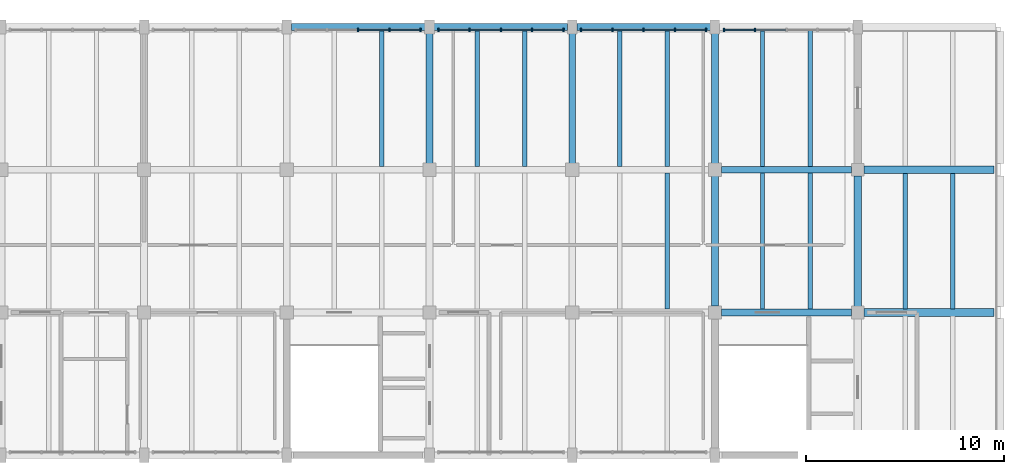
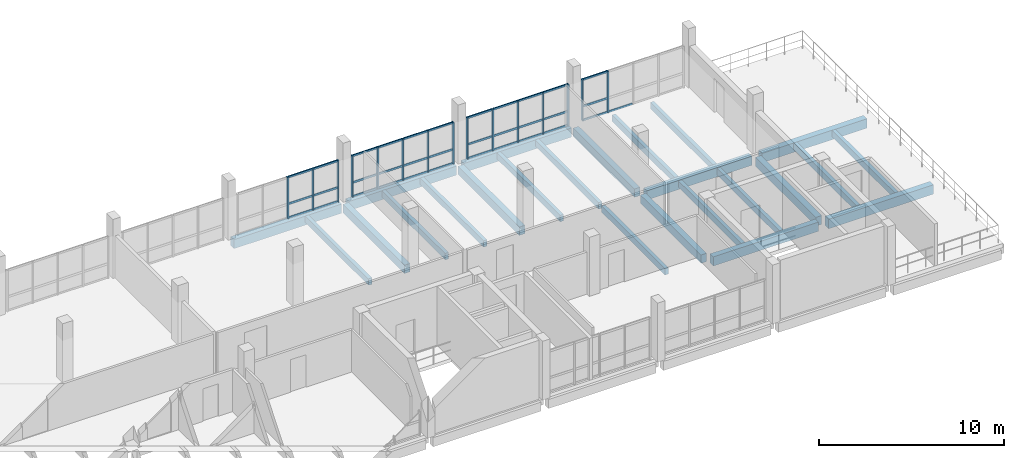
# One storey, part 5 of 10: 49 members, 24 beams, 4 elements without a shape of their own.
"""IFC4 building model written with IfcOpenShell, lengths in metres."""

from ifc_helpers import new_model, si_unit, direction, frame, origin, origin_2d, place, context, subcontext, project, spatial, rectangle, extrude, material, material_profile, profile_set, type_object, element, aggregate, save


model = new_model("IFC4")

# Units and contexts
model_context = context("Model", 3, precision=1e-05, world=origin(), true_north=direction((0.0, 1.0)))
body_context = subcontext(model_context, "Body", "Model", "MODEL_VIEW")
ifc_project = project(units=[si_unit("LENGTHUNIT", "METRE"), si_unit("AREAUNIT", "SQUARE_METRE"), si_unit("VOLUMEUNIT", "CUBIC_METRE"), si_unit("PLANEANGLEUNIT", "RADIAN"), si_unit("MASSUNIT", "GRAM", prefix="KILO")], contexts=[model_context])

# Site, building, storey
site_placement = place(None, origin())
site = spatial("IfcSite", under=ifc_project, at=site_placement, CompositionType="ELEMENT")
building_placement = place(site_placement, origin())
building = spatial("IfcBuilding", under=site, at=building_placement, Name="Qiaolan Assembly House", CompositionType="ELEMENT")
storey_placement = place(building_placement, frame((0.0, 0.0, 30.300048828125)))
storey = spatial("IfcBuildingStorey", under=building, at=storey_placement, Name="L07", CompositionType="ELEMENT", Elevation=30.300048828125)

# Beams
ifc_material_1 = material(Name="Concrete C40/50", Category="concrete")
ifc_material_profile_1 = material_profile(ifc_material_1, rectangle(XDim=0.35009765625, YDim=0.550048828125, at=origin_2d()), Name="RCB 350x550")
ifc_profile_set_1 = profile_set([ifc_material_profile_1], Name="Concrete C40/50")
beam_type_1 = type_object("IfcBeamType", Name="BM-RC-350x550", PredefinedType="BEAM", material=ifc_profile_set_1)
for number, where, z_axis, x_axis, name in (
    (1, (72.0, 108.320068359375, -0.505126953125), (0.0, 1.0, 0.0), (-1.0, 0.0, 0.0), "GB-09 beam BMY-NW-L07-04-02"),
    (2, (79.199951171875, 108.320068359375, -0.505126953125), (0.0, 1.0, 0.0), (-1.0, 0.0, 0.0), "GB-09 beam BMY-NW-L07-05-02"),
):
    element("IfcBeam", number, at=place(storey_placement, frame(where, z_axis=z_axis, x_axis=x_axis)), inside=storey, type_object=beam_type_1, Name=name, PredefinedType="BEAM", context=body_context, shape_type="SweptSolid", body=[
        extrude(rectangle(XDim=0.35009765625, YDim=0.550048828125, at=origin_2d()), origin(), (0.0, 0.0, 1.0), 6.64990234375),
    ])
beam_1_placement = place(storey_placement, frame((86.39990234375, 101.1201171875, -0.505126953125), z_axis=(0.0, 1.0, 0.0), x_axis=(-1.0, 0.0, 0.0)))
element("IfcBeam", 3, at=beam_1_placement, inside=storey, type_object=beam_type_1, Name="GB-09 beam BMY-NW-L07-06-01", PredefinedType="BEAM", context=body_context, shape_type="SweptSolid", body=[
    extrude(rectangle(XDim=0.35009765625, YDim=0.550048828125, at=origin_2d()), origin(), (0.0, 0.0, 1.0), 6.559814453125),
])
beam_2_placement = place(storey_placement, frame((86.39990234375, 108.320068359375, -0.505126953125), z_axis=(0.0, 1.0, 0.0), x_axis=(-1.0, 0.0, 0.0)))
element("IfcBeam", 4, at=beam_2_placement, inside=storey, type_object=beam_type_1, Name="GB-09 beam BMY-NW-L07-06-02", PredefinedType="BEAM", context=body_context, shape_type="SweptSolid", body=[
    extrude(rectangle(XDim=0.35009765625, YDim=0.550048828125, at=origin_2d()), origin(), (0.0, 0.0, 1.0), 6.64990234375),
])
ifc_material_profile_2 = material_profile(ifc_material_1, rectangle(XDim=0.35009765625, YDim=0.60009765625, at=origin_2d()), Name="RCB 350x600")
ifc_profile_set_2 = profile_set([ifc_material_profile_2], Name="Concrete C40/50")
beam_type_2 = type_object("IfcBeamType", Name="BM-RC-350x600", PredefinedType="BEAM", material=ifc_profile_set_2)
for number, where, z_axis, x_axis, name in (
    (5, (86.719970703125, 100.800048828125, -0.530029296875), (1.0, 0.0, 0.0), (0.0, 1.0, 0.0), "GB-08 beam BMX-NW-L07-06-01"),
    (6, (86.719970703125, 108.0, -0.530029296875), (1.0, 0.0, 0.0), (0.0, 1.0, 0.0), "GB-08 beam BMX-NW-L07-06-02"),
):
    element("IfcBeam", number, at=place(storey_placement, frame(where, z_axis=z_axis, x_axis=x_axis)), inside=storey, type_object=beam_type_2, Name=name, PredefinedType="BEAM", context=body_context, shape_type="SweptSolid", body=[
        extrude(rectangle(XDim=0.35009765625, YDim=0.60009765625, at=origin_2d()), origin(), (0.0, 0.0, 1.0), 6.56494140625),
    ])
for number, where, z_axis, x_axis, name in (
    (7, (65.030029296875, 115.199951171875, -0.530029296875), (1.0, 0.0, 0.0), (0.0, 1.0, 0.0), "GB-08 beam BMX-NW-L07-03-03"),
    (8, (72.22998046875, 115.199951171875, -0.530029296875), (1.0, 0.0, 0.0), (0.0, 1.0, 0.0), "GB-08 beam BMX-NW-L07-04-03"),
    (9, (79.429931640625, 115.199951171875, -0.530029296875), (1.0, 0.0, 0.0), (0.0, 1.0, 0.0), "GB-08 beam BMX-NW-L07-05-03"),
):
    element("IfcBeam", number, at=place(storey_placement, frame(where, z_axis=z_axis, x_axis=x_axis)), inside=storey, type_object=beam_type_2, Name=name, PredefinedType="BEAM", context=body_context, shape_type="SweptSolid", body=[
        extrude(rectangle(XDim=0.35009765625, YDim=0.60009765625, at=origin_2d()), origin(), (0.0, 0.0, 1.0), 6.739990234375),
    ])
ifc_material_profile_3 = material_profile(ifc_material_1, rectangle(XDim=0.360107421875, YDim=0.580078125, at=origin_2d()), Name="RCB 360x580")
ifc_profile_set_3 = profile_set([ifc_material_profile_3], Name="Concrete C40/50")
beam_type_3 = type_object("IfcBeamType", Name="BM-RC-360x580", PredefinedType="BEAM", material=ifc_profile_set_3)
beam_3_placement = place(storey_placement, frame((93.60009765625, 101.114990234375, -0.550048828125), z_axis=(0.0, 1.0, 0.0), x_axis=(-1.0, 0.0, 0.0)))
element("IfcBeam", 10, at=beam_3_placement, inside=storey, type_object=beam_type_3, Name="GB-16 beam BMY-NWTE-L07-00-01", PredefinedType="BEAM", context=body_context, shape_type="SweptSolid", body=[
    extrude(rectangle(XDim=0.360107421875, YDim=0.580078125, at=origin_2d()), origin(), (0.0, 0.0, 1.0), 6.570068359375),
])
ifc_material_profile_4 = material_profile(ifc_material_1, rectangle(XDim=0.3798828125, YDim=0.6201171875, at=origin_2d()), Name="RCB 380x620")
ifc_profile_set_4 = profile_set([ifc_material_profile_4], Name="Concrete C40/50")
beam_type_4 = type_object("IfcBeamType", Name="BM-RC-380x620", PredefinedType="BEAM", material=ifc_profile_set_4)
for number, where, z_axis, x_axis, name in (
    (11, (93.9150390625, 100.800048828125, -0.570068359375), (1.0, 0.0, 0.0), (0.0, 1.0, 0.0), "GB-13 beam BMX-NWTE-L07-00-01"),
    (12, (93.9150390625, 108.0, -0.570068359375), (1.0, 0.0, 0.0), (0.0, 1.0, 0.0), "GB-13 beam BMX-NWTE-L07-00-02"),
):
    element("IfcBeam", number, at=place(storey_placement, frame(where, z_axis=z_axis, x_axis=x_axis)), inside=storey, type_object=beam_type_4, Name=name, PredefinedType="BEAM", context=body_context, shape_type="SweptSolid", body=[
        extrude(rectangle(XDim=0.3798828125, YDim=0.6201171875, at=origin_2d()), origin(), (0.0, 0.0, 1.0), 6.570068359375),
    ])

# Curtain wall, members
ifc_material_2 = material(Name="Anodised bronze aluminium", Category="aluminium")
curtain_wall_type = type_object("IfcCurtainWallType", Name="CW-ATTIC-390", PredefinedType="NOTDEFINED", material=ifc_material_2)
curtain_wall_1_placement = place(storey_placement, origin())
curtain_wall_1 = element("IfcCurtainWall", 13, at=curtain_wall_1_placement, inside=storey, type_object=curtain_wall_type, Name="CW-04 NW Attic North glazed colonnade bay 4", PredefinedType="NOTDEFINED")
ifc_material_profile_5 = material_profile(ifc_material_2, rectangle(XDim=0.073974609375, YDim=0.1650390625, at=origin_2d()), Name="MUL 74x165")
ifc_profile_set_5 = profile_set([ifc_material_profile_5], Name="Anodised bronze aluminium")
member_type_1 = type_object("IfcMemberType", Name="CW-ATTIC-390-MUL", PredefinedType="MULLION", material=ifc_profile_set_5)
member_1_placement = place(storey_placement, frame((71.550048828125, 115.050048828125, 0.0), z_axis=(0.0, 0.0, 1.0), x_axis=(-1.0, 0.0, 0.0)))
member_1 = element("IfcMember", 14, at=member_1_placement, type_object=member_type_1, Name="ML-05 mullion CW-NW-ATTIC-N-03-1", PredefinedType="MULLION", context=body_context, shape_type="SweptSolid", body=[
    extrude(rectangle(XDim=0.073974609375, YDim=0.1650390625, at=origin_2d()), origin(), (0.0, 0.0, 1.0), 2.739990234375),
])
member_2_placement = place(storey_placement, frame((69.97509765625, 115.050048828125, 0.0), z_axis=(0.0, 0.0, 1.0), x_axis=(-1.0, 0.0, 0.0)))
member_2 = element("IfcMember", 15, at=member_2_placement, type_object=member_type_1, Name="ML-05 mullion CW-NW-ATTIC-N-03-2", PredefinedType="MULLION", context=body_context, shape_type="SweptSolid", body=[
    extrude(rectangle(XDim=0.073974609375, YDim=0.1650390625, at=origin_2d()), origin(), (0.0, 0.0, 1.0), 2.739990234375),
])
member_3_placement = place(storey_placement, frame((68.39990234375, 115.050048828125, 0.0), z_axis=(0.0, 0.0, 1.0), x_axis=(-1.0, 0.0, 0.0)))
member_3 = element("IfcMember", 16, at=member_3_placement, type_object=member_type_1, Name="ML-05 mullion CW-NW-ATTIC-N-03-3", PredefinedType="MULLION", context=body_context, shape_type="SweptSolid", body=[
    extrude(rectangle(XDim=0.073974609375, YDim=0.1650390625, at=origin_2d()), origin(), (0.0, 0.0, 1.0), 2.739990234375),
])

curtain_wall_2_placement = place(storey_placement, origin())
curtain_wall_2 = element("IfcCurtainWall", 17, at=curtain_wall_2_placement, inside=storey, type_object=curtain_wall_type, Name="CW-04 NW Attic North glazed colonnade bay 5", PredefinedType="NOTDEFINED")
member_4_placement = place(storey_placement, frame((78.75, 115.050048828125, 0.0), z_axis=(0.0, 0.0, 1.0), x_axis=(-1.0, 0.0, 0.0)))
member_4 = element("IfcMember", 18, at=member_4_placement, type_object=member_type_1, Name="ML-05 mullion CW-NW-ATTIC-N-04-1", PredefinedType="MULLION", context=body_context, shape_type="SweptSolid", body=[
    extrude(rectangle(XDim=0.073974609375, YDim=0.1650390625, at=origin_2d()), origin(), (0.0, 0.0, 1.0), 2.739990234375),
])
member_5_placement = place(storey_placement, frame((77.175048828125, 115.050048828125, 0.0), z_axis=(0.0, 0.0, 1.0), x_axis=(-1.0, 0.0, 0.0)))
member_5 = element("IfcMember", 19, at=member_5_placement, type_object=member_type_1, Name="ML-05 mullion CW-NW-ATTIC-N-04-2", PredefinedType="MULLION", context=body_context, shape_type="SweptSolid", body=[
    extrude(rectangle(XDim=0.073974609375, YDim=0.1650390625, at=origin_2d()), origin(), (0.0, 0.0, 1.0), 2.739990234375),
])
member_6_placement = place(storey_placement, frame((75.60009765625, 115.050048828125, 0.0), z_axis=(0.0, 0.0, 1.0), x_axis=(-1.0, 0.0, 0.0)))
member_6 = element("IfcMember", 20, at=member_6_placement, type_object=member_type_1, Name="ML-05 mullion CW-NW-ATTIC-N-04-3", PredefinedType="MULLION", context=body_context, shape_type="SweptSolid", body=[
    extrude(rectangle(XDim=0.073974609375, YDim=0.1650390625, at=origin_2d()), origin(), (0.0, 0.0, 1.0), 2.739990234375),
])
member_7_placement = place(storey_placement, frame((74.02490234375, 115.050048828125, 0.0), z_axis=(0.0, 0.0, 1.0), x_axis=(-1.0, 0.0, 0.0)))
member_7 = element("IfcMember", 21, at=member_7_placement, type_object=member_type_1, Name="ML-05 mullion CW-NW-ATTIC-N-04-4", PredefinedType="MULLION", context=body_context, shape_type="SweptSolid", body=[
    extrude(rectangle(XDim=0.073974609375, YDim=0.1650390625, at=origin_2d()), origin(), (0.0, 0.0, 1.0), 2.739990234375),
])
member_8_placement = place(storey_placement, frame((72.449951171875, 115.050048828125, 0.0), z_axis=(0.0, 0.0, 1.0), x_axis=(-1.0, 0.0, 0.0)))
member_8 = element("IfcMember", 22, at=member_8_placement, type_object=member_type_1, Name="ML-05 mullion CW-NW-ATTIC-N-04-5", PredefinedType="MULLION", context=body_context, shape_type="SweptSolid", body=[
    extrude(rectangle(XDim=0.073974609375, YDim=0.1650390625, at=origin_2d()), origin(), (0.0, 0.0, 1.0), 2.739990234375),
])

curtain_wall_3_placement = place(storey_placement, origin())
curtain_wall_3 = element("IfcCurtainWall", 23, at=curtain_wall_3_placement, inside=storey, type_object=curtain_wall_type, Name="CW-04 NW Attic North glazed colonnade bay 6", PredefinedType="NOTDEFINED")
member_9_placement = place(storey_placement, frame((85.949951171875, 115.050048828125, 0.0), z_axis=(0.0, 0.0, 1.0), x_axis=(-1.0, 0.0, 0.0)))
member_9 = element("IfcMember", 24, at=member_9_placement, type_object=member_type_1, Name="ML-05 mullion CW-NW-ATTIC-N-05-1", PredefinedType="MULLION", context=body_context, shape_type="SweptSolid", body=[
    extrude(rectangle(XDim=0.073974609375, YDim=0.1650390625, at=origin_2d()), origin(), (0.0, 0.0, 1.0), 2.739990234375),
])
member_10_placement = place(storey_placement, frame((84.375, 115.050048828125, 0.0), z_axis=(0.0, 0.0, 1.0), x_axis=(-1.0, 0.0, 0.0)))
member_10 = element("IfcMember", 25, at=member_10_placement, type_object=member_type_1, Name="ML-05 mullion CW-NW-ATTIC-N-05-2", PredefinedType="MULLION", context=body_context, shape_type="SweptSolid", body=[
    extrude(rectangle(XDim=0.073974609375, YDim=0.1650390625, at=origin_2d()), origin(), (0.0, 0.0, 1.0), 2.739990234375),
])
member_11_placement = place(storey_placement, frame((82.800048828125, 115.050048828125, 0.0), z_axis=(0.0, 0.0, 1.0), x_axis=(-1.0, 0.0, 0.0)))
member_11 = element("IfcMember", 26, at=member_11_placement, type_object=member_type_1, Name="ML-05 mullion CW-NW-ATTIC-N-05-3", PredefinedType="MULLION", context=body_context, shape_type="SweptSolid", body=[
    extrude(rectangle(XDim=0.073974609375, YDim=0.1650390625, at=origin_2d()), origin(), (0.0, 0.0, 1.0), 2.739990234375),
])
member_12_placement = place(storey_placement, frame((81.22509765625, 115.050048828125, 0.0), z_axis=(0.0, 0.0, 1.0), x_axis=(-1.0, 0.0, 0.0)))
member_12 = element("IfcMember", 27, at=member_12_placement, type_object=member_type_1, Name="ML-05 mullion CW-NW-ATTIC-N-05-4", PredefinedType="MULLION", context=body_context, shape_type="SweptSolid", body=[
    extrude(rectangle(XDim=0.073974609375, YDim=0.1650390625, at=origin_2d()), origin(), (0.0, 0.0, 1.0), 2.739990234375),
])
member_13_placement = place(storey_placement, frame((79.64990234375, 115.050048828125, 0.0), z_axis=(0.0, 0.0, 1.0), x_axis=(-1.0, 0.0, 0.0)))
member_13 = element("IfcMember", 28, at=member_13_placement, type_object=member_type_1, Name="ML-05 mullion CW-NW-ATTIC-N-05-5", PredefinedType="MULLION", context=body_context, shape_type="SweptSolid", body=[
    extrude(rectangle(XDim=0.073974609375, YDim=0.1650390625, at=origin_2d()), origin(), (0.0, 0.0, 1.0), 2.739990234375),
])

curtain_wall_4_placement = place(storey_placement, origin())
curtain_wall_4 = element("IfcCurtainWall", 29, at=curtain_wall_4_placement, inside=storey, type_object=curtain_wall_type, Name="CW-04 NW Attic North glazed colonnade bay 7", PredefinedType="NOTDEFINED")
member_14_placement = place(storey_placement, frame((88.425048828125, 115.050048828125, 0.0), z_axis=(0.0, 0.0, 1.0), x_axis=(-1.0, 0.0, 0.0)))
member_14 = element("IfcMember", 30, at=member_14_placement, type_object=member_type_1, Name="ML-05 mullion CW-NW-ATTIC-N-06-4", PredefinedType="MULLION", context=body_context, shape_type="SweptSolid", body=[
    extrude(rectangle(XDim=0.073974609375, YDim=0.1650390625, at=origin_2d()), origin(), (0.0, 0.0, 1.0), 2.739990234375),
])
member_15_placement = place(storey_placement, frame((86.85009765625, 115.050048828125, 0.0), z_axis=(0.0, 0.0, 1.0), x_axis=(-1.0, 0.0, 0.0)))
member_15 = element("IfcMember", 31, at=member_15_placement, type_object=member_type_1, Name="ML-05 mullion CW-NW-ATTIC-N-06-5", PredefinedType="MULLION", context=body_context, shape_type="SweptSolid", body=[
    extrude(rectangle(XDim=0.073974609375, YDim=0.1650390625, at=origin_2d()), origin(), (0.0, 0.0, 1.0), 2.739990234375),
])

# Member
ifc_material_profile_6 = material_profile(ifc_material_2, rectangle(XDim=0.06494140625, YDim=0.1298828125, at=origin_2d()), Name="TRN 65x130")
ifc_profile_set_6 = profile_set([ifc_material_profile_6], Name="Anodised bronze aluminium")
member_type_2 = type_object("IfcMemberType", Name="CW-ATTIC-390-TRN", PredefinedType="USERDEFINED", material=ifc_profile_set_6)
member_16_placement = place(storey_placement, frame((71.512939453125, 115.050048828125, 0.030029296875), z_axis=(-1.0, 0.0, 0.0), x_axis=(0.0, -1.0, 0.0)))
member_16 = element("IfcMember", 32, at=member_16_placement, type_object=member_type_2, Name="TR-05 transom CW-NW-ATTIC-N-03-1-1", ObjectType="TRANSOM", PredefinedType="USERDEFINED", context=body_context, shape_type="SweptSolid", body=[
    extrude(rectangle(XDim=0.06494140625, YDim=0.1298828125, at=origin_2d()), origin(), (0.0, 0.0, 1.0), 1.5009765625),
])

member_17_placement = place(storey_placement, frame((71.512939453125, 115.050048828125, 0.949951171875), z_axis=(-1.0, 0.0, 0.0), x_axis=(0.0, -1.0, 0.0)))
member_17 = element("IfcMember", 33, at=member_17_placement, type_object=member_type_2, Name="TR-05 transom CW-NW-ATTIC-N-03-1-2", ObjectType="TRANSOM", PredefinedType="USERDEFINED", context=body_context, shape_type="SweptSolid", body=[
    extrude(rectangle(XDim=0.06494140625, YDim=0.1298828125, at=origin_2d()), origin(), (0.0, 0.0, 1.0), 1.5009765625),
])

member_18_placement = place(storey_placement, frame((71.512939453125, 115.050048828125, 2.7099609375), z_axis=(-1.0, 0.0, 0.0), x_axis=(0.0, -1.0, 0.0)))
member_18 = element("IfcMember", 34, at=member_18_placement, type_object=member_type_2, Name="TR-05 transom CW-NW-ATTIC-N-03-1-3", ObjectType="TRANSOM", PredefinedType="USERDEFINED", context=body_context, shape_type="SweptSolid", body=[
    extrude(rectangle(XDim=0.06494140625, YDim=0.1298828125, at=origin_2d()), origin(), (0.0, 0.0, 1.0), 1.5009765625),
])

member_19_placement = place(storey_placement, frame((69.93798828125, 115.050048828125, 0.030029296875), z_axis=(-1.0, 0.0, 0.0), x_axis=(0.0, -1.0, 0.0)))
member_19 = element("IfcMember", 35, at=member_19_placement, type_object=member_type_2, Name="TR-05 transom CW-NW-ATTIC-N-03-2-1", ObjectType="TRANSOM", PredefinedType="USERDEFINED", context=body_context, shape_type="SweptSolid", body=[
    extrude(rectangle(XDim=0.06494140625, YDim=0.1298828125, at=origin_2d()), origin(), (0.0, 0.0, 1.0), 1.5009765625),
])

member_20_placement = place(storey_placement, frame((69.93798828125, 115.050048828125, 0.949951171875), z_axis=(-1.0, 0.0, 0.0), x_axis=(0.0, -1.0, 0.0)))
member_20 = element("IfcMember", 36, at=member_20_placement, type_object=member_type_2, Name="TR-05 transom CW-NW-ATTIC-N-03-2-2", ObjectType="TRANSOM", PredefinedType="USERDEFINED", context=body_context, shape_type="SweptSolid", body=[
    extrude(rectangle(XDim=0.06494140625, YDim=0.1298828125, at=origin_2d()), origin(), (0.0, 0.0, 1.0), 1.5009765625),
])

member_21_placement = place(storey_placement, frame((69.93798828125, 115.050048828125, 2.7099609375), z_axis=(-1.0, 0.0, 0.0), x_axis=(0.0, -1.0, 0.0)))
member_21 = element("IfcMember", 37, at=member_21_placement, type_object=member_type_2, Name="TR-05 transom CW-NW-ATTIC-N-03-2-3", ObjectType="TRANSOM", PredefinedType="USERDEFINED", context=body_context, shape_type="SweptSolid", body=[
    extrude(rectangle(XDim=0.06494140625, YDim=0.1298828125, at=origin_2d()), origin(), (0.0, 0.0, 1.0), 1.5009765625),
])

aggregate(curtain_wall_1, [member_1, member_2, member_3, member_16, member_17, member_18, member_19, member_20, member_21])

member_22_placement = place(storey_placement, frame((78.712890625, 115.050048828125, 0.030029296875), z_axis=(-1.0, 0.0, 0.0), x_axis=(0.0, -1.0, 0.0)))
member_22 = element("IfcMember", 38, at=member_22_placement, type_object=member_type_2, Name="TR-05 transom CW-NW-ATTIC-N-04-1-1", ObjectType="TRANSOM", PredefinedType="USERDEFINED", context=body_context, shape_type="SweptSolid", body=[
    extrude(rectangle(XDim=0.06494140625, YDim=0.1298828125, at=origin_2d()), origin(), (0.0, 0.0, 1.0), 1.5009765625),
])

member_23_placement = place(storey_placement, frame((78.712890625, 115.050048828125, 0.949951171875), z_axis=(-1.0, 0.0, 0.0), x_axis=(0.0, -1.0, 0.0)))
member_23 = element("IfcMember", 39, at=member_23_placement, type_object=member_type_2, Name="TR-05 transom CW-NW-ATTIC-N-04-1-2", ObjectType="TRANSOM", PredefinedType="USERDEFINED", context=body_context, shape_type="SweptSolid", body=[
    extrude(rectangle(XDim=0.06494140625, YDim=0.1298828125, at=origin_2d()), origin(), (0.0, 0.0, 1.0), 1.5009765625),
])

member_24_placement = place(storey_placement, frame((78.712890625, 115.050048828125, 2.7099609375), z_axis=(-1.0, 0.0, 0.0), x_axis=(0.0, -1.0, 0.0)))
member_24 = element("IfcMember", 40, at=member_24_placement, type_object=member_type_2, Name="TR-05 transom CW-NW-ATTIC-N-04-1-3", ObjectType="TRANSOM", PredefinedType="USERDEFINED", context=body_context, shape_type="SweptSolid", body=[
    extrude(rectangle(XDim=0.06494140625, YDim=0.1298828125, at=origin_2d()), origin(), (0.0, 0.0, 1.0), 1.5009765625),
])

member_25_placement = place(storey_placement, frame((77.137939453125, 115.050048828125, 0.030029296875), z_axis=(-1.0, 0.0, 0.0), x_axis=(0.0, -1.0, 0.0)))
member_25 = element("IfcMember", 41, at=member_25_placement, type_object=member_type_2, Name="TR-05 transom CW-NW-ATTIC-N-04-2-1", ObjectType="TRANSOM", PredefinedType="USERDEFINED", context=body_context, shape_type="SweptSolid", body=[
    extrude(rectangle(XDim=0.06494140625, YDim=0.1298828125, at=origin_2d()), origin(), (0.0, 0.0, 1.0), 1.5009765625),
])

member_26_placement = place(storey_placement, frame((77.137939453125, 115.050048828125, 0.949951171875), z_axis=(-1.0, 0.0, 0.0), x_axis=(0.0, -1.0, 0.0)))
member_26 = element("IfcMember", 42, at=member_26_placement, type_object=member_type_2, Name="TR-05 transom CW-NW-ATTIC-N-04-2-2", ObjectType="TRANSOM", PredefinedType="USERDEFINED", context=body_context, shape_type="SweptSolid", body=[
    extrude(rectangle(XDim=0.06494140625, YDim=0.1298828125, at=origin_2d()), origin(), (0.0, 0.0, 1.0), 1.5009765625),
])

member_27_placement = place(storey_placement, frame((77.137939453125, 115.050048828125, 2.7099609375), z_axis=(-1.0, 0.0, 0.0), x_axis=(0.0, -1.0, 0.0)))
member_27 = element("IfcMember", 43, at=member_27_placement, type_object=member_type_2, Name="TR-05 transom CW-NW-ATTIC-N-04-2-3", ObjectType="TRANSOM", PredefinedType="USERDEFINED", context=body_context, shape_type="SweptSolid", body=[
    extrude(rectangle(XDim=0.06494140625, YDim=0.1298828125, at=origin_2d()), origin(), (0.0, 0.0, 1.0), 1.5009765625),
])

member_28_placement = place(storey_placement, frame((75.56298828125, 115.050048828125, 0.030029296875), z_axis=(-1.0, 0.0, 0.0), x_axis=(0.0, -1.0, 0.0)))
member_28 = element("IfcMember", 44, at=member_28_placement, type_object=member_type_2, Name="TR-05 transom CW-NW-ATTIC-N-04-3-1", ObjectType="TRANSOM", PredefinedType="USERDEFINED", context=body_context, shape_type="SweptSolid", body=[
    extrude(rectangle(XDim=0.06494140625, YDim=0.1298828125, at=origin_2d()), origin(), (0.0, 0.0, 1.0), 1.5009765625),
])

member_29_placement = place(storey_placement, frame((75.56298828125, 115.050048828125, 0.949951171875), z_axis=(-1.0, 0.0, 0.0), x_axis=(0.0, -1.0, 0.0)))
member_29 = element("IfcMember", 45, at=member_29_placement, type_object=member_type_2, Name="TR-05 transom CW-NW-ATTIC-N-04-3-2", ObjectType="TRANSOM", PredefinedType="USERDEFINED", context=body_context, shape_type="SweptSolid", body=[
    extrude(rectangle(XDim=0.06494140625, YDim=0.1298828125, at=origin_2d()), origin(), (0.0, 0.0, 1.0), 1.5009765625),
])

member_30_placement = place(storey_placement, frame((75.56298828125, 115.050048828125, 2.7099609375), z_axis=(-1.0, 0.0, 0.0), x_axis=(0.0, -1.0, 0.0)))
member_30 = element("IfcMember", 46, at=member_30_placement, type_object=member_type_2, Name="TR-05 transom CW-NW-ATTIC-N-04-3-3", ObjectType="TRANSOM", PredefinedType="USERDEFINED", context=body_context, shape_type="SweptSolid", body=[
    extrude(rectangle(XDim=0.06494140625, YDim=0.1298828125, at=origin_2d()), origin(), (0.0, 0.0, 1.0), 1.5009765625),
])

member_31_placement = place(storey_placement, frame((73.988037109375, 115.050048828125, 0.030029296875), z_axis=(-1.0, 0.0, 0.0), x_axis=(0.0, -1.0, 0.0)))
member_31 = element("IfcMember", 47, at=member_31_placement, type_object=member_type_2, Name="TR-05 transom CW-NW-ATTIC-N-04-4-1", ObjectType="TRANSOM", PredefinedType="USERDEFINED", context=body_context, shape_type="SweptSolid", body=[
    extrude(rectangle(XDim=0.06494140625, YDim=0.1298828125, at=origin_2d()), origin(), (0.0, 0.0, 1.0), 1.5009765625),
])

member_32_placement = place(storey_placement, frame((73.988037109375, 115.050048828125, 0.949951171875), z_axis=(-1.0, 0.0, 0.0), x_axis=(0.0, -1.0, 0.0)))
member_32 = element("IfcMember", 48, at=member_32_placement, type_object=member_type_2, Name="TR-05 transom CW-NW-ATTIC-N-04-4-2", ObjectType="TRANSOM", PredefinedType="USERDEFINED", context=body_context, shape_type="SweptSolid", body=[
    extrude(rectangle(XDim=0.06494140625, YDim=0.1298828125, at=origin_2d()), origin(), (0.0, 0.0, 1.0), 1.5009765625),
])

member_33_placement = place(storey_placement, frame((73.988037109375, 115.050048828125, 2.7099609375), z_axis=(-1.0, 0.0, 0.0), x_axis=(0.0, -1.0, 0.0)))
member_33 = element("IfcMember", 49, at=member_33_placement, type_object=member_type_2, Name="TR-05 transom CW-NW-ATTIC-N-04-4-3", ObjectType="TRANSOM", PredefinedType="USERDEFINED", context=body_context, shape_type="SweptSolid", body=[
    extrude(rectangle(XDim=0.06494140625, YDim=0.1298828125, at=origin_2d()), origin(), (0.0, 0.0, 1.0), 1.5009765625),
])

aggregate(curtain_wall_2, [member_4, member_5, member_6, member_7, member_8, member_22, member_23, member_24, member_25, member_26, member_27, member_28, member_29, member_30, member_31, member_32, member_33])

member_34_placement = place(storey_placement, frame((85.9130859375, 115.050048828125, 0.030029296875), z_axis=(-1.0, 0.0, 0.0), x_axis=(0.0, -1.0, 0.0)))
member_34 = element("IfcMember", 50, at=member_34_placement, type_object=member_type_2, Name="TR-05 transom CW-NW-ATTIC-N-05-1-1", ObjectType="TRANSOM", PredefinedType="USERDEFINED", context=body_context, shape_type="SweptSolid", body=[
    extrude(rectangle(XDim=0.06494140625, YDim=0.1298828125, at=origin_2d()), origin(), (0.0, 0.0, 1.0), 1.5009765625),
])

member_35_placement = place(storey_placement, frame((85.9130859375, 115.050048828125, 0.949951171875), z_axis=(-1.0, 0.0, 0.0), x_axis=(0.0, -1.0, 0.0)))
member_35 = element("IfcMember", 51, at=member_35_placement, type_object=member_type_2, Name="TR-05 transom CW-NW-ATTIC-N-05-1-2", ObjectType="TRANSOM", PredefinedType="USERDEFINED", context=body_context, shape_type="SweptSolid", body=[
    extrude(rectangle(XDim=0.06494140625, YDim=0.1298828125, at=origin_2d()), origin(), (0.0, 0.0, 1.0), 1.5009765625),
])

member_36_placement = place(storey_placement, frame((85.9130859375, 115.050048828125, 2.7099609375), z_axis=(-1.0, 0.0, 0.0), x_axis=(0.0, -1.0, 0.0)))
member_36 = element("IfcMember", 52, at=member_36_placement, type_object=member_type_2, Name="TR-05 transom CW-NW-ATTIC-N-05-1-3", ObjectType="TRANSOM", PredefinedType="USERDEFINED", context=body_context, shape_type="SweptSolid", body=[
    extrude(rectangle(XDim=0.06494140625, YDim=0.1298828125, at=origin_2d()), origin(), (0.0, 0.0, 1.0), 1.5009765625),
])

member_37_placement = place(storey_placement, frame((84.337890625, 115.050048828125, 0.030029296875), z_axis=(-1.0, 0.0, 0.0), x_axis=(0.0, -1.0, 0.0)))
member_37 = element("IfcMember", 53, at=member_37_placement, type_object=member_type_2, Name="TR-05 transom CW-NW-ATTIC-N-05-2-1", ObjectType="TRANSOM", PredefinedType="USERDEFINED", context=body_context, shape_type="SweptSolid", body=[
    extrude(rectangle(XDim=0.06494140625, YDim=0.1298828125, at=origin_2d()), origin(), (0.0, 0.0, 1.0), 1.5009765625),
])

member_38_placement = place(storey_placement, frame((84.337890625, 115.050048828125, 0.949951171875), z_axis=(-1.0, 0.0, 0.0), x_axis=(0.0, -1.0, 0.0)))
member_38 = element("IfcMember", 54, at=member_38_placement, type_object=member_type_2, Name="TR-05 transom CW-NW-ATTIC-N-05-2-2", ObjectType="TRANSOM", PredefinedType="USERDEFINED", context=body_context, shape_type="SweptSolid", body=[
    extrude(rectangle(XDim=0.06494140625, YDim=0.1298828125, at=origin_2d()), origin(), (0.0, 0.0, 1.0), 1.5009765625),
])

member_39_placement = place(storey_placement, frame((84.337890625, 115.050048828125, 2.7099609375), z_axis=(-1.0, 0.0, 0.0), x_axis=(0.0, -1.0, 0.0)))
member_39 = element("IfcMember", 55, at=member_39_placement, type_object=member_type_2, Name="TR-05 transom CW-NW-ATTIC-N-05-2-3", ObjectType="TRANSOM", PredefinedType="USERDEFINED", context=body_context, shape_type="SweptSolid", body=[
    extrude(rectangle(XDim=0.06494140625, YDim=0.1298828125, at=origin_2d()), origin(), (0.0, 0.0, 1.0), 1.5009765625),
])

member_40_placement = place(storey_placement, frame((82.762939453125, 115.050048828125, 0.030029296875), z_axis=(-1.0, 0.0, 0.0), x_axis=(0.0, -1.0, 0.0)))
member_40 = element("IfcMember", 56, at=member_40_placement, type_object=member_type_2, Name="TR-05 transom CW-NW-ATTIC-N-05-3-1", ObjectType="TRANSOM", PredefinedType="USERDEFINED", context=body_context, shape_type="SweptSolid", body=[
    extrude(rectangle(XDim=0.06494140625, YDim=0.1298828125, at=origin_2d()), origin(), (0.0, 0.0, 1.0), 1.5009765625),
])

member_41_placement = place(storey_placement, frame((82.762939453125, 115.050048828125, 0.949951171875), z_axis=(-1.0, 0.0, 0.0), x_axis=(0.0, -1.0, 0.0)))
member_41 = element("IfcMember", 57, at=member_41_placement, type_object=member_type_2, Name="TR-05 transom CW-NW-ATTIC-N-05-3-2", ObjectType="TRANSOM", PredefinedType="USERDEFINED", context=body_context, shape_type="SweptSolid", body=[
    extrude(rectangle(XDim=0.06494140625, YDim=0.1298828125, at=origin_2d()), origin(), (0.0, 0.0, 1.0), 1.5009765625),
])

member_42_placement = place(storey_placement, frame((82.762939453125, 115.050048828125, 2.7099609375), z_axis=(-1.0, 0.0, 0.0), x_axis=(0.0, -1.0, 0.0)))
member_42 = element("IfcMember", 58, at=member_42_placement, type_object=member_type_2, Name="TR-05 transom CW-NW-ATTIC-N-05-3-3", ObjectType="TRANSOM", PredefinedType="USERDEFINED", context=body_context, shape_type="SweptSolid", body=[
    extrude(rectangle(XDim=0.06494140625, YDim=0.1298828125, at=origin_2d()), origin(), (0.0, 0.0, 1.0), 1.5009765625),
])

member_43_placement = place(storey_placement, frame((81.18798828125, 115.050048828125, 0.030029296875), z_axis=(-1.0, 0.0, 0.0), x_axis=(0.0, -1.0, 0.0)))
member_43 = element("IfcMember", 59, at=member_43_placement, type_object=member_type_2, Name="TR-05 transom CW-NW-ATTIC-N-05-4-1", ObjectType="TRANSOM", PredefinedType="USERDEFINED", context=body_context, shape_type="SweptSolid", body=[
    extrude(rectangle(XDim=0.06494140625, YDim=0.1298828125, at=origin_2d()), origin(), (0.0, 0.0, 1.0), 1.5009765625),
])

member_44_placement = place(storey_placement, frame((81.18798828125, 115.050048828125, 0.949951171875), z_axis=(-1.0, 0.0, 0.0), x_axis=(0.0, -1.0, 0.0)))
member_44 = element("IfcMember", 60, at=member_44_placement, type_object=member_type_2, Name="TR-05 transom CW-NW-ATTIC-N-05-4-2", ObjectType="TRANSOM", PredefinedType="USERDEFINED", context=body_context, shape_type="SweptSolid", body=[
    extrude(rectangle(XDim=0.06494140625, YDim=0.1298828125, at=origin_2d()), origin(), (0.0, 0.0, 1.0), 1.5009765625),
])

member_45_placement = place(storey_placement, frame((81.18798828125, 115.050048828125, 2.7099609375), z_axis=(-1.0, 0.0, 0.0), x_axis=(0.0, -1.0, 0.0)))
member_45 = element("IfcMember", 61, at=member_45_placement, type_object=member_type_2, Name="TR-05 transom CW-NW-ATTIC-N-05-4-3", ObjectType="TRANSOM", PredefinedType="USERDEFINED", context=body_context, shape_type="SweptSolid", body=[
    extrude(rectangle(XDim=0.06494140625, YDim=0.1298828125, at=origin_2d()), origin(), (0.0, 0.0, 1.0), 1.5009765625),
])

aggregate(curtain_wall_3, [member_9, member_10, member_11, member_12, member_13, member_34, member_35, member_36, member_37, member_38, member_39, member_40, member_41, member_42, member_43, member_44, member_45])

member_46_placement = place(storey_placement, frame((89.962890625, 115.050048828125, 0.030029296875), z_axis=(-1.0, 0.0, 0.0), x_axis=(0.0, -1.0, 0.0)))
member_46 = element("IfcMember", 62, at=member_46_placement, type_object=member_type_2, Name="TR-05 transom CW-NW-ATTIC-N-06-3-1", ObjectType="TRANSOM", PredefinedType="USERDEFINED", context=body_context, shape_type="SweptSolid", body=[
    extrude(rectangle(XDim=0.06494140625, YDim=0.1298828125, at=origin_2d()), origin(), (0.0, 0.0, 1.0), 1.5009765625),
])

member_47_placement = place(storey_placement, frame((88.387939453125, 115.050048828125, 0.030029296875), z_axis=(-1.0, 0.0, 0.0), x_axis=(0.0, -1.0, 0.0)))
member_47 = element("IfcMember", 63, at=member_47_placement, type_object=member_type_2, Name="TR-05 transom CW-NW-ATTIC-N-06-4-1", ObjectType="TRANSOM", PredefinedType="USERDEFINED", context=body_context, shape_type="SweptSolid", body=[
    extrude(rectangle(XDim=0.06494140625, YDim=0.1298828125, at=origin_2d()), origin(), (0.0, 0.0, 1.0), 1.5009765625),
])

member_48_placement = place(storey_placement, frame((88.387939453125, 115.050048828125, 0.949951171875), z_axis=(-1.0, 0.0, 0.0), x_axis=(0.0, -1.0, 0.0)))
member_48 = element("IfcMember", 64, at=member_48_placement, type_object=member_type_2, Name="TR-05 transom CW-NW-ATTIC-N-06-4-2", ObjectType="TRANSOM", PredefinedType="USERDEFINED", context=body_context, shape_type="SweptSolid", body=[
    extrude(rectangle(XDim=0.06494140625, YDim=0.1298828125, at=origin_2d()), origin(), (0.0, 0.0, 1.0), 1.5009765625),
])

member_49_placement = place(storey_placement, frame((88.387939453125, 115.050048828125, 2.7099609375), z_axis=(-1.0, 0.0, 0.0), x_axis=(0.0, -1.0, 0.0)))
member_49 = element("IfcMember", 65, at=member_49_placement, type_object=member_type_2, Name="TR-05 transom CW-NW-ATTIC-N-06-4-3", ObjectType="TRANSOM", PredefinedType="USERDEFINED", context=body_context, shape_type="SweptSolid", body=[
    extrude(rectangle(XDim=0.06494140625, YDim=0.1298828125, at=origin_2d()), origin(), (0.0, 0.0, 1.0), 1.5009765625),
])

aggregate(curtain_wall_4, [member_14, member_15, member_46, member_47, member_48, member_49])

# Beams
ifc_material_profile_7 = material_profile(ifc_material_1, rectangle(XDim=0.219970703125, YDim=0.419921875, at=origin_2d()), Name="RCB 220x420")
ifc_profile_set_7 = profile_set([ifc_material_profile_7], Name="Concrete C40/50")
beam_type_5 = type_object("IfcBeamType", Name="JST-RC-220x420", PredefinedType="JOIST", material=ifc_profile_set_7)
for number, where, z_axis, x_axis, name in (
    (66, (69.60009765625, 108.1689453125, -0.43994140625), (0.0, 1.0, 0.0), (-1.0, 0.0, 0.0), "RJ-03 beam JST-NW-L07-03-02-2"),
    (67, (74.39990234375, 108.1689453125, -0.43994140625), (0.0, 1.0, 0.0), (-1.0, 0.0, 0.0), "RJ-03 beam JST-NW-L07-04-02-1"),
    (68, (76.800048828125, 108.1689453125, -0.43994140625), (0.0, 1.0, 0.0), (-1.0, 0.0, 0.0), "RJ-03 beam JST-NW-L07-04-02-2"),
    (69, (84.0, 100.968994140625, -0.43994140625), (0.0, 1.0, 0.0), (-1.0, 0.0, 0.0), "RJ-03 beam JST-NW-L07-05-01-2"),
    (70, (81.60009765625, 108.1689453125, -0.43994140625), (0.0, 1.0, 0.0), (-1.0, 0.0, 0.0), "RJ-03 beam JST-NW-L07-05-02-1"),
    (71, (84.0, 108.1689453125, -0.43994140625), (0.0, 1.0, 0.0), (-1.0, 0.0, 0.0), "RJ-03 beam JST-NW-L07-05-02-2"),
    (72, (88.800048828125, 100.968994140625, -0.469970703125), (0.0, 1.0, 0.0), (-1.0, 0.0, 0.0), "RJ-03 beam JST-NW-L07-06-01-1"),
    (73, (91.199951171875, 100.968994140625, -0.469970703125), (0.0, 1.0, 0.0), (-1.0, 0.0, 0.0), "RJ-03 beam JST-NW-L07-06-01-2"),
    (74, (88.800048828125, 108.1689453125, -0.469970703125), (0.0, 1.0, 0.0), (-1.0, 0.0, 0.0), "RJ-03 beam JST-NW-L07-06-02-1"),
    (75, (91.199951171875, 108.1689453125, -0.469970703125), (0.0, 1.0, 0.0), (-1.0, 0.0, 0.0), "RJ-03 beam JST-NW-L07-06-02-2"),
):
    element("IfcBeam", number, at=place(storey_placement, frame(where, z_axis=z_axis, x_axis=x_axis)), inside=storey, type_object=beam_type_5, Name=name, PredefinedType="JOIST", context=body_context, shape_type="SweptSolid", body=[
        extrude(rectangle(XDim=0.219970703125, YDim=0.419921875, at=origin_2d()), origin(), (0.0, 0.0, 1.0), 6.862060546875),
    ])
ifc_material_profile_8 = material_profile(ifc_material_1, rectangle(XDim=0.22509765625, YDim=0.425048828125, at=origin_2d()), Name="RCB 225x425")
ifc_profile_set_8 = profile_set([ifc_material_profile_8], Name="Concrete C40/50")
beam_type_6 = type_object("IfcBeamType", Name="JST-RC-225x425", PredefinedType="JOIST", material=ifc_profile_set_8)
for number, where, z_axis, x_axis, name in (
    (76, (96.0, 100.98388671875, -0.47265625), (0.0, 1.0, 0.0), (-1.0, 0.0, 0.0), "RJ-06 beam JST-NWTE-L07-00-01-1"),
    (77, (98.39990234375, 100.98388671875, -0.47265625), (0.0, 1.0, 0.0), (-1.0, 0.0, 0.0), "RJ-06 beam JST-NWTE-L07-00-01-2"),
):
    element("IfcBeam", number, at=place(storey_placement, frame(where, z_axis=z_axis, x_axis=x_axis)), inside=storey, type_object=beam_type_6, Name=name, PredefinedType="JOIST", context=body_context, shape_type="SweptSolid", body=[
        extrude(rectangle(XDim=0.22509765625, YDim=0.425048828125, at=origin_2d()), origin(), (0.0, 0.0, 1.0), 6.83203125),
    ])

save(model, "model.ifc")
